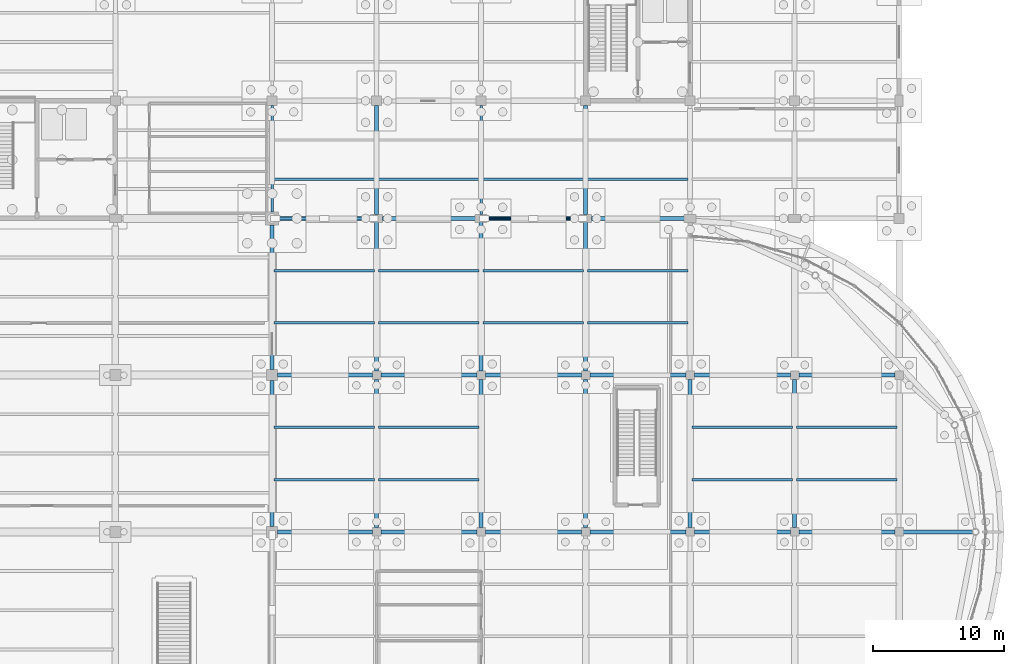
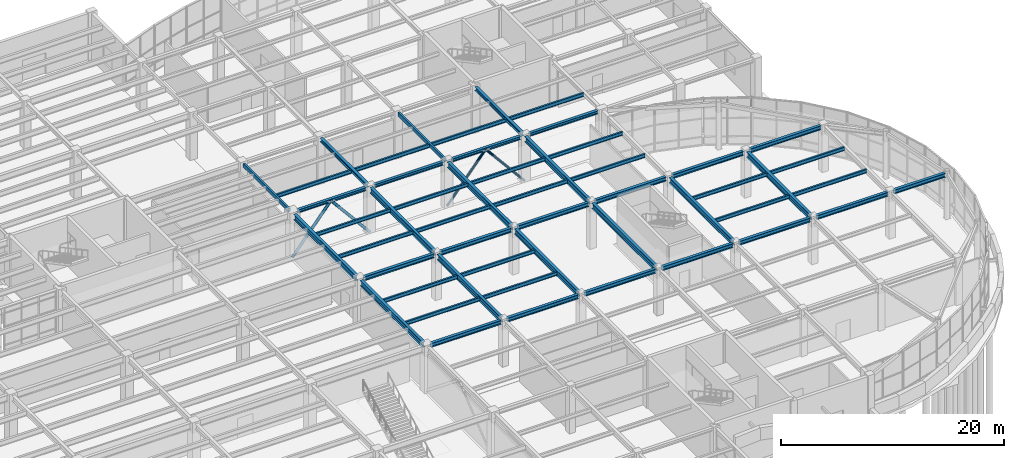
# One storey, part 46 of 85: 51 beams, 4 members.
"""IFC4 building model written with IfcOpenShell, lengths in metres."""

import ifcopenshell
import ifcopenshell.guid

model = None  # the IFC model being written
_history = None  # IfcOwnerHistory: only IFC2X3 demands one
_inside = {}  # id of a spatial element -> (the spatial element, [elements in it])
_under = {}  # id of a project, library or spatial element -> (it, [spatial elements below it])
_declared = {}  # id of a project -> (the project, [libraries it declares])
_typed = {}  # id of a type object -> (the type object, [elements of that type])
_made_of = {}  # id of a material, layer set ... -> (it, [elements and type objects made of it])


def new_model(schema):
    """Start an empty IFC model of exactly this schema.

    Asked for "IFC4X3", IfcOpenShell would pick the latest addendum, in which some entities
    have other attributes; the version numbers below select the first issue.
    IFC2X3 requires an IfcOwnerHistory on every rooted entity: one is made here for all.
    """
    global model, _history
    if schema == "IFC4X3":
        model = ifcopenshell.file(schema_version=(4, 3, 0, 0))
    else:
        model = ifcopenshell.file(schema=schema)
    _inside.clear()
    _under.clear()
    _declared.clear()
    _typed.clear()
    _made_of.clear()
    _history = None
    if model.schema == "IFC2X3":
        org = make("IfcOrganization", Name="unknown")
        user = make(
            "IfcPersonAndOrganization",
            ThePerson=make("IfcPerson", FamilyName="unknown"),
            TheOrganization=org,
        )
        app = make(
            "IfcApplication",
            ApplicationDeveloper=org,
            Version="unknown",
            ApplicationFullName="unknown",
            ApplicationIdentifier="unknown",
        )
        _history = make(
            "IfcOwnerHistory",
            OwningUser=user,
            OwningApplication=app,
            ChangeAction="ADDED",
            CreationDate=0,
        )
    return model


def make(cls, **values):
    """One entity of the class cls with the attributes given. An attribute that is None is left unset."""
    return model.create_entity(
        cls, **{name: value for name, value in values.items() if value is not None}
    )


def rooted(cls, **values):
    """An entity with a GlobalId (a new one), such as an element, a storey or a relation."""
    return make(cls, GlobalId=ifcopenshell.guid.new(), OwnerHistory=_history, **values)


def si_unit(unit_type, name, prefix=None):
    """IfcSIUnit, for example si_unit("LENGTHUNIT", "METRE", prefix="MILLI")."""
    return make("IfcSIUnit", UnitType=unit_type, Prefix=prefix, Name=name)


def assignment(units):
    """IfcUnitAssignment: the units of a project."""
    return None if units is None else make("IfcUnitAssignment", Units=units)


def point(xyz):
    """IfcCartesianPoint."""
    return None if xyz is None else make("IfcCartesianPoint", Coordinates=xyz)


def direction(xyz):
    """IfcDirection."""
    return None if xyz is None else make("IfcDirection", DirectionRatios=xyz)


def frame(location, z_axis=None, x_axis=None):
    """IfcAxis2Placement3D, a coordinate frame: its origin and axes. An axis left out is left unset."""
    return make(
        "IfcAxis2Placement3D",
        Location=point(location),
        Axis=direction(z_axis),
        RefDirection=direction(x_axis),
    )


def frame_2d(location, x_axis=None):
    """IfcAxis2Placement2D, a coordinate frame in the plane: its origin and x axis."""
    return make(
        "IfcAxis2Placement2D", Location=point(location), RefDirection=direction(x_axis)
    )


def origin():
    """The frame at (0, 0, 0) with its axes left unset."""
    return frame((0.0, 0.0, 0.0))


def origin_2d():
    """The frame at (0, 0) in the plane with its x axis left unset."""
    return frame_2d((0.0, 0.0))


def place(relative_to, where):
    """IfcLocalPlacement: puts the frame where relative to a parent placement (None: the world)."""
    return make(
        "IfcLocalPlacement", PlacementRelTo=relative_to, RelativePlacement=where
    )


def context(
    kind, dimensions, precision=None, world=None, true_north=None, identifier=None
):
    """IfcGeometricRepresentationContext, for example the 3D "Model" context."""
    return make(
        "IfcGeometricRepresentationContext",
        ContextIdentifier=identifier,
        ContextType=kind,
        CoordinateSpaceDimension=dimensions,
        Precision=precision,
        WorldCoordinateSystem=world,
        TrueNorth=true_north,
    )


def subcontext(parent, identifier, kind, view, scale=None):
    """IfcGeometricRepresentationSubContext, for example "Body" below "Model"."""
    return make(
        "IfcGeometricRepresentationSubContext",
        ContextIdentifier=identifier,
        ContextType=kind,
        ParentContext=parent,
        TargetScale=scale,
        TargetView=view,
    )


def project(units=None, contexts=None):
    """IfcProject with its units and contexts."""
    return rooted(
        "IfcProject",
        Name="project",
        RepresentationContexts=contexts,
        UnitsInContext=assignment(units),
    )


def spatial(cls, under=None, at=None, **own):
    """A site, building, storey or space (cls), placed at a placement, below another one or the project."""
    s = rooted(cls, ObjectPlacement=at, **own)
    if under is not None:
        _under.setdefault(under.id(), (under, []))[1].append(s)
    return s


def profile(cls, at=None, kind="AREA", **sizes):
    """A parametric profile (cls). Its sizes go by their IFC names, for example OverallWidth=200.0."""
    return make(cls, ProfileType=kind, Position=at, **sizes)


def hollow_rectangle(**sizes):
    """IfcRectangleHollowProfileDef."""
    return profile("IfcRectangleHollowProfileDef", **sizes)


def hollow_circle(**sizes):
    """IfcCircleHollowProfileDef."""
    return profile("IfcCircleHollowProfileDef", **sizes)


def i_section(**sizes):
    """IfcIShapeProfileDef."""
    return profile("IfcIShapeProfileDef", **sizes)


def extrude(swept, where, along, depth):
    """IfcExtrudedAreaSolid: the profile swept, set in the frame where, extruded along a direction by depth."""
    return make(
        "IfcExtrudedAreaSolid",
        SweptArea=swept,
        Position=where,
        ExtrudedDirection=direction(along),
        Depth=depth,
    )


def shape(context_of_items, identifier, shape_type, items):
    """IfcShapeRepresentation: the items that make up one representation, for example the "Body"."""
    return make(
        "IfcShapeRepresentation",
        ContextOfItems=context_of_items,
        RepresentationIdentifier=identifier,
        RepresentationType=shape_type,
        Items=items,
    )


def material(Name=None, Category=None):
    """IfcMaterial."""
    return make("IfcMaterial", Name=Name, Category=Category)


def material_profile(
    of_material, cross_section, Name=None, Category=None, Priority=None
):
    """IfcMaterialProfile: a cross section and its material."""
    return make(
        "IfcMaterialProfile",
        Name=Name,
        Material=of_material,
        Profile=cross_section,
        Priority=Priority,
        Category=Category,
    )


def profile_set(profiles, Name=None, composite=None):
    """IfcMaterialProfileSet."""
    return make(
        "IfcMaterialProfileSet",
        Name=Name,
        MaterialProfiles=profiles,
        CompositeProfile=composite,
    )


def made_of(thing, what):
    """Note that an element or type object is made of a material, layer set ...; save() writes the relation."""
    if what is not None:
        _made_of.setdefault(what.id(), (what, []))[1].append(thing)
    return thing


def type_object(cls, material=None, **own):
    """A type object (cls), such as IfcWallType, which elements share."""
    return made_of(rooted(cls, **own), material)


def element(
    cls,
    number,
    at=None,
    inside=None,
    cuts=None,
    type_object=None,
    material=None,
    context=None,
    identifier="Body",
    shape_type=None,
    held_by="IfcProductDefinitionShape",
    body=None,
    shapes=None,
    **own,
):
    """One element of the class cls, such as IfcWall. Its Tag is "e" and its number.

    at: its placement. inside: the storey or other place that contains it. cuts: it is an
    opening in that element (IfcRelVoidsElement). A single representation is given by context,
    identifier, shape_type and body (its items); several are given by shapes. held_by: the class
    of the entity that holds the representations. save() writes the other relations.
    """
    e = rooted(cls, Tag="e%d" % number, ObjectPlacement=at, **own)
    if body is not None:
        shapes = [shape(context, identifier, shape_type, body)]
    if shapes is not None:
        e.Representation = make(held_by, Representations=shapes)
    if inside is not None:
        _inside.setdefault(inside.id(), (inside, []))[1].append(e)
    if cuts is not None:
        rooted(
            "IfcRelVoidsElement", RelatingBuildingElement=cuts, RelatedOpeningElement=e
        )
    if type_object is not None:
        _typed.setdefault(type_object.id(), (type_object, []))[1].append(e)
    return made_of(e, material)


def aggregate(whole, parts):
    """IfcRelAggregates: a whole, such as a stair, and the parts it consists of."""
    return rooted("IfcRelAggregates", RelatingObject=whole, RelatedObjects=parts)


def save(model, path):
    """Write the relations noted so far, then the file.

    IfcRelAggregates (storeys below a building ...), IfcRelContainedInSpatialStructure (elements
    in a storey), IfcRelDefinesByType, IfcRelAssociatesMaterial and IfcRelDeclares: one each for
    every whole, place, type object, material and project.
    """
    for whole, parts in _under.values():
        aggregate(whole, parts)
    for where, things in _inside.values():
        rooted(
            "IfcRelContainedInSpatialStructure",
            RelatedElements=things,
            RelatingStructure=where,
        )
    for kind, things in _typed.values():
        rooted("IfcRelDefinesByType", RelatedObjects=things, RelatingType=kind)
    for what, things in _made_of.values():
        rooted("IfcRelAssociatesMaterial", RelatedObjects=things, RelatingMaterial=what)
    for by, libraries in _declared.values():
        rooted("IfcRelDeclares", RelatingContext=by, RelatedDefinitions=libraries)
    model.write(path)


model = new_model("IFC4")

# Units and contexts
model_context = context("Model", 3, precision=1e-05, world=origin(), true_north=direction((0.0, 1.0)))
body_context = subcontext(model_context, "Body", "Model", "MODEL_VIEW")
ifc_project = project(units=[si_unit("LENGTHUNIT", "METRE"), si_unit("AREAUNIT", "SQUARE_METRE"), si_unit("VOLUMEUNIT", "CUBIC_METRE"), si_unit("PLANEANGLEUNIT", "RADIAN"), si_unit("MASSUNIT", "GRAM", prefix="KILO")], contexts=[model_context])

# Site, building, storey
site_placement = place(None, origin())
site = spatial("IfcSite", under=ifc_project, at=site_placement, CompositionType="ELEMENT")
building_placement = place(site_placement, origin())
building = spatial("IfcBuilding", under=site, at=building_placement, Name="Keelwater Ferry Terminal", CompositionType="ELEMENT")
storey_placement = place(building_placement, origin())
storey = spatial("IfcBuildingStorey", under=building, at=storey_placement, Name="L00", CompositionType="ELEMENT", Elevation=0.0)

# Members
ifc_material_1 = material(Name="Steel S355", Category="steel")
ifc_material_profile_1 = material_profile(ifc_material_1, hollow_circle(Radius=0.136474609375, WallThickness=0.012451171875, at=origin_2d()), Name="CHS 273x12.5")
ifc_profile_set_1 = profile_set([ifc_material_profile_1], Name="Steel S355")
member_type_1 = type_object("IfcMemberType", Name="BR2 CHS 273x12.5", PredefinedType="BRACE", material=ifc_profile_set_1)
for number, where, z_axis, x_axis, name in (
    (1, (132.0, 90.0, 0.0), (0.63939331492, 0.0, 0.768879827304), (0.0, 1.0, 0.0), "Structural Member MB-L00-0569"),
    (2, (140.0, 90.0, 0.0), (-0.63939331492, 0.0, 0.768879827304), (0.0, -1.0, 0.0), "Structural Member MB-L00-0570"),
):
    element("IfcMember", number, at=place(storey_placement, frame(where, z_axis=z_axis, x_axis=x_axis)), inside=storey, type_object=member_type_1, Name=name, PredefinedType="BRACE", context=body_context, shape_type="SweptSolid", body=[
        extrude(hollow_circle(Radius=0.136474609375, WallThickness=0.012451171875, at=origin_2d()), origin(), (0.0, 0.0, 1.0), 6.255859375),
    ])
ifc_material_2 = material(Name="Steel S355", Category="steel")
ifc_material_profile_2 = material_profile(ifc_material_2, hollow_circle(Radius=0.122314453125, WallThickness=0.012451171875, at=origin_2d()), Name="CHS 244.5x12.5")
ifc_profile_set_2 = profile_set([ifc_material_profile_2], Name="Steel S355")
member_type_2 = type_object("IfcMemberType", Name="BR3 CHS 244.5x12.5", PredefinedType="BRACE", material=ifc_profile_set_2)
for number, where, z_axis, x_axis, name in (
    (3, (148.0, 90.0, 0.0), (0.63939331492, 0.0, 0.768879827304), (0.0, 1.0, 0.0), "Structural Member MB-L00-0563"),
    (4, (156.0, 90.0, 0.0), (-0.63939331492, 0.0, 0.768879827304), (0.0, -1.0, 0.0), "Structural Member MB-L00-0564"),
):
    element("IfcMember", number, at=place(storey_placement, frame(where, z_axis=z_axis, x_axis=x_axis)), inside=storey, type_object=member_type_2, Name=name, PredefinedType="BRACE", context=body_context, shape_type="SweptSolid", body=[
        extrude(hollow_circle(Radius=0.122314453125, WallThickness=0.012451171875, at=origin_2d()), origin(), (0.0, 0.0, 1.0), 6.255859375),
    ])

# Beams
ifc_material_3 = material(Name="Steel S355", Category="steel")
ifc_material_profile_3 = material_profile(ifc_material_3, i_section(OverallWidth=0.300048828125, OverallDepth=0.60009765625, WebThickness=0.015380859375, FlangeThickness=0.030029296875, at=origin_2d()), Name="HEB 600")
ifc_profile_set_3 = profile_set([ifc_material_profile_3], Name="Steel S355")
beam_type_1 = type_object("IfcBeamType", Name="G3 HEB 600", PredefinedType="BEAM", material=ifc_profile_set_3)
beam_1_placement = place(storey_placement, frame((140.0, 66.318115234375, 4.760009765625), z_axis=(0.0, 1.0, 0.0), x_axis=(-1.0, 0.0, 0.0)))
element("IfcBeam", 5, at=beam_1_placement, inside=storey, type_object=beam_type_1, Name="Beam BM-L00-0262", PredefinedType="BEAM", context=body_context, shape_type="SweptSolid", body=[
    extrude(i_section(OverallWidth=0.300048828125, OverallDepth=0.60009765625, WebThickness=0.015380859375, FlangeThickness=0.030029296875, at=origin_2d()), origin(), (0.0, 0.0, 1.0), 11.36376953125),
])
beam_2_placement = place(storey_placement, frame((140.0, 78.318115234375, 4.760009765625), z_axis=(0.0, 1.0, 0.0), x_axis=(-1.0, 0.0, 0.0)))
element("IfcBeam", 6, at=beam_2_placement, inside=storey, type_object=beam_type_1, Name="Beam BM-L00-0263", PredefinedType="BEAM", context=body_context, shape_type="SweptSolid", body=[
    extrude(i_section(OverallWidth=0.300048828125, OverallDepth=0.60009765625, WebThickness=0.015380859375, FlangeThickness=0.030029296875, at=origin_2d()), origin(), (0.0, 0.0, 1.0), 11.387939453125),
])
beam_3_placement = place(storey_placement, frame((156.0, 66.318115234375, 4.760009765625), z_axis=(0.0, 1.0, 0.0), x_axis=(-1.0, 0.0, 0.0)))
element("IfcBeam", 7, at=beam_3_placement, inside=storey, type_object=beam_type_1, Name="Beam BM-L00-0280", PredefinedType="BEAM", context=body_context, shape_type="SweptSolid", body=[
    extrude(i_section(OverallWidth=0.300048828125, OverallDepth=0.60009765625, WebThickness=0.015380859375, FlangeThickness=0.030029296875, at=origin_2d()), origin(), (0.0, 0.0, 1.0), 11.36376953125),
])
beam_4_placement = place(storey_placement, frame((156.0, 78.318115234375, 4.760009765625), z_axis=(0.0, 1.0, 0.0), x_axis=(-1.0, 0.0, 0.0)))
element("IfcBeam", 8, at=beam_4_placement, inside=storey, type_object=beam_type_1, Name="Beam BM-L00-0281", PredefinedType="BEAM", context=body_context, shape_type="SweptSolid", body=[
    extrude(i_section(OverallWidth=0.300048828125, OverallDepth=0.60009765625, WebThickness=0.015380859375, FlangeThickness=0.030029296875, at=origin_2d()), origin(), (0.0, 0.0, 1.0), 11.387939453125),
])
beam_5_placement = place(storey_placement, frame((164.0, 66.318115234375, 4.760009765625), z_axis=(0.0, 1.0, 0.0), x_axis=(-1.0, 0.0, 0.0)))
element("IfcBeam", 9, at=beam_5_placement, inside=storey, type_object=beam_type_1, Name="Beam BM-L00-0287", PredefinedType="BEAM", context=body_context, shape_type="SweptSolid", body=[
    extrude(i_section(OverallWidth=0.300048828125, OverallDepth=0.60009765625, WebThickness=0.015380859375, FlangeThickness=0.030029296875, at=origin_2d()), origin(), (0.0, 0.0, 1.0), 11.36376953125),
])
ifc_material_4 = material(Name="Steel S355", Category="steel")
ifc_material_profile_4 = material_profile(ifc_material_4, i_section(OverallWidth=0.300048828125, OverallDepth=0.60009765625, WebThickness=0.015380859375, FlangeThickness=0.030029296875, at=origin_2d()), Name="HEB 600")
ifc_profile_set_4 = profile_set([ifc_material_profile_4], Name="Steel S355")
beam_type_2 = type_object("IfcBeamType", Name="G3E HEB 600", PredefinedType="BEAM", material=ifc_profile_set_4)
beam_6_placement = place(storey_placement, frame((132.0, 66.416015625, 4.760009765625), z_axis=(0.0, 1.0, 0.0), x_axis=(-1.0, 0.0, 0.0)))
element("IfcBeam", 10, at=beam_6_placement, inside=storey, type_object=beam_type_2, Name="Beam BM-L00-0250", PredefinedType="BEAM", context=body_context, shape_type="SweptSolid", body=[
    extrude(i_section(OverallWidth=0.300048828125, OverallDepth=0.60009765625, WebThickness=0.015380859375, FlangeThickness=0.030029296875, at=origin_2d()), origin(), (0.0, 0.0, 1.0), 11.16796875),
])
beam_7_placement = place(storey_placement, frame((132.0, 78.416015625, 4.760009765625), z_axis=(0.0, 1.0, 0.0), x_axis=(-1.0, 0.0, 0.0)))
element("IfcBeam", 11, at=beam_7_placement, inside=storey, type_object=beam_type_2, Name="Beam BM-L00-0251", PredefinedType="BEAM", context=body_context, shape_type="SweptSolid", body=[
    extrude(i_section(OverallWidth=0.300048828125, OverallDepth=0.60009765625, WebThickness=0.015380859375, FlangeThickness=0.030029296875, at=origin_2d()), origin(), (0.0, 0.0, 1.0), 11.093994140625),
])
beam_8_placement = place(storey_placement, frame((148.0, 66.318115234375, 4.760009765625), z_axis=(0.0, 1.0, 0.0), x_axis=(-1.0, 0.0, 0.0)))
element("IfcBeam", 12, at=beam_8_placement, inside=storey, type_object=beam_type_2, Name="Beam BM-L00-0273", PredefinedType="BEAM", context=body_context, shape_type="SweptSolid", body=[
    extrude(i_section(OverallWidth=0.300048828125, OverallDepth=0.60009765625, WebThickness=0.015380859375, FlangeThickness=0.030029296875, at=origin_2d()), origin(), (0.0, 0.0, 1.0), 11.36376953125),
])
beam_9_placement = place(storey_placement, frame((148.0, 78.318115234375, 4.760009765625), z_axis=(0.0, 1.0, 0.0), x_axis=(-1.0, 0.0, 0.0)))
element("IfcBeam", 13, at=beam_9_placement, inside=storey, type_object=beam_type_2, Name="Beam BM-L00-0274", PredefinedType="BEAM", context=body_context, shape_type="SweptSolid", body=[
    extrude(i_section(OverallWidth=0.300048828125, OverallDepth=0.60009765625, WebThickness=0.015380859375, FlangeThickness=0.030029296875, at=origin_2d()), origin(), (0.0, 0.0, 1.0), 11.387939453125),
])
beam_10_placement = place(storey_placement, frame((172.0, 66.318115234375, 4.760009765625), z_axis=(0.0, 1.0, 0.0), x_axis=(-1.0, 0.0, 0.0)))
element("IfcBeam", 14, at=beam_10_placement, inside=storey, type_object=beam_type_2, Name="Beam BM-L00-0293", PredefinedType="BEAM", context=body_context, shape_type="SweptSolid", body=[
    extrude(i_section(OverallWidth=0.300048828125, OverallDepth=0.60009765625, WebThickness=0.015380859375, FlangeThickness=0.030029296875, at=origin_2d()), origin(), (0.0, 0.0, 1.0), 11.36376953125),
])
ifc_material_5 = material(Name="Steel S355", Category="steel")
ifc_material_profile_5 = material_profile(ifc_material_5, i_section(OverallWidth=0.300048828125, OverallDepth=0.449951171875, WebThickness=0.013916015625, FlangeThickness=0.02587890625, at=origin_2d()), Name="HEB 450")
ifc_profile_set_5 = profile_set([ifc_material_profile_5], Name="Steel S355")
beam_type_3 = type_object("IfcBeamType", Name="G6 HEB 450", PredefinedType="BEAM", material=ifc_profile_set_5)
beam_11_placement = place(storey_placement, frame((132.416015625, 66.0, 4.8349609375), z_axis=(1.0, 0.0, 0.0), x_axis=(0.0, 1.0, 0.0)))
element("IfcBeam", 15, at=beam_11_placement, inside=storey, type_object=beam_type_3, Name="Beam BM-L00-0061", PredefinedType="BEAM", context=body_context, shape_type="SweptSolid", body=[
    extrude(i_section(OverallWidth=0.300048828125, OverallDepth=0.449951171875, WebThickness=0.013916015625, FlangeThickness=0.02587890625, at=origin_2d()), origin(), (0.0, 0.0, 1.0), 7.265869140625),
])
for number, where, z_axis, x_axis, name in (
    (16, (140.318115234375, 66.0, 4.8349609375), (1.0, 0.0, 0.0), (0.0, 1.0, 0.0), "Beam BM-L00-0062"),
    (17, (148.318115234375, 66.0, 4.8349609375), (1.0, 0.0, 0.0), (0.0, 1.0, 0.0), "Beam BM-L00-0063"),
    (18, (156.318115234375, 66.0, 4.8349609375), (1.0, 0.0, 0.0), (0.0, 1.0, 0.0), "Beam BM-L00-0064"),
    (19, (164.318115234375, 66.0, 4.8349609375), (1.0, 0.0, 0.0), (0.0, 1.0, 0.0), "Beam BM-L00-0065"),
    (20, (172.318115234375, 66.0, 4.8349609375), (1.0, 0.0, 0.0), (0.0, 1.0, 0.0), "Beam BM-L00-0066"),
):
    element("IfcBeam", number, at=place(storey_placement, frame(where, z_axis=z_axis, x_axis=x_axis)), inside=storey, type_object=beam_type_3, Name=name, PredefinedType="BEAM", context=body_context, shape_type="SweptSolid", body=[
        extrude(i_section(OverallWidth=0.300048828125, OverallDepth=0.449951171875, WebThickness=0.013916015625, FlangeThickness=0.02587890625, at=origin_2d()), origin(), (0.0, 0.0, 1.0), 7.36376953125),
    ])
beam_12_placement = place(storey_placement, frame((132.416015625, 78.0, 4.8349609375), z_axis=(1.0, 0.0, 0.0), x_axis=(0.0, 1.0, 0.0)))
element("IfcBeam", 21, at=beam_12_placement, inside=storey, type_object=beam_type_3, Name="Beam BM-L00-0079", PredefinedType="BEAM", context=body_context, shape_type="SweptSolid", body=[
    extrude(i_section(OverallWidth=0.300048828125, OverallDepth=0.449951171875, WebThickness=0.013916015625, FlangeThickness=0.02587890625, at=origin_2d()), origin(), (0.0, 0.0, 1.0), 7.265869140625),
])
for number, where, z_axis, x_axis, name in (
    (22, (140.318115234375, 78.0, 4.8349609375), (1.0, 0.0, 0.0), (0.0, 1.0, 0.0), "Beam BM-L00-0080"),
    (23, (148.318115234375, 78.0, 4.8349609375), (1.0, 0.0, 0.0), (0.0, 1.0, 0.0), "Beam BM-L00-0081"),
    (24, (156.318115234375, 78.0, 4.8349609375), (1.0, 0.0, 0.0), (0.0, 1.0, 0.0), "Beam BM-L00-0082"),
    (25, (164.318115234375, 78.0, 4.8349609375), (1.0, 0.0, 0.0), (0.0, 1.0, 0.0), "Beam BM-L00-0083"),
    (26, (172.318115234375, 78.0, 4.8349609375), (1.0, 0.0, 0.0), (0.0, 1.0, 0.0), "Beam BM-L00-0084"),
):
    element("IfcBeam", number, at=place(storey_placement, frame(where, z_axis=z_axis, x_axis=x_axis)), inside=storey, type_object=beam_type_3, Name=name, PredefinedType="BEAM", context=body_context, shape_type="SweptSolid", body=[
        extrude(i_section(OverallWidth=0.300048828125, OverallDepth=0.449951171875, WebThickness=0.013916015625, FlangeThickness=0.02587890625, at=origin_2d()), origin(), (0.0, 0.0, 1.0), 7.36376953125),
    ])
beam_13_placement = place(storey_placement, frame((185.659912109375, 66.0, 4.8349609375), z_axis=(-1.0, 0.0, 0.0), x_axis=(0.0, -1.0, 0.0)))
element("IfcBeam", 27, at=beam_13_placement, inside=storey, type_object=beam_type_3, Name="Beam BM-L00-0602", PredefinedType="BEAM", context=body_context, shape_type="SweptSolid", body=[
    extrude(i_section(OverallWidth=0.300048828125, OverallDepth=0.449951171875, WebThickness=0.013916015625, FlangeThickness=0.02587890625, at=origin_2d()), origin(), (0.0, 0.0, 1.0), 5.371826171875),
])
ifc_material_6 = material(Name="Steel S355", Category="steel")
ifc_material_profile_6 = material_profile(ifc_material_6, i_section(OverallWidth=0.300048828125, OverallDepth=0.39990234375, WebThickness=0.013427734375, FlangeThickness=0.02392578125, at=origin_2d()), Name="HEB 400")
ifc_profile_set_6 = profile_set([ifc_material_profile_6], Name="Steel S355")
beam_type_4 = type_object("IfcBeamType", Name="G7 HEB 400", PredefinedType="BEAM", material=ifc_profile_set_6)
for number, where, z_axis, x_axis, name in (
    (28, (140.0, 90.2939453125, 4.860107421875), (0.0, 1.0, 0.0), (-1.0, 0.0, 0.0), "Beam BM-L00-0264"),
    (29, (156.0, 90.2939453125, 4.860107421875), (0.0, 1.0, 0.0), (-1.0, 0.0, 0.0), "Beam BM-L00-0282"),
):
    element("IfcBeam", number, at=place(storey_placement, frame(where, z_axis=z_axis, x_axis=x_axis)), inside=storey, type_object=beam_type_4, Name=name, PredefinedType="BEAM", context=body_context, shape_type="SweptSolid", body=[
        extrude(i_section(OverallWidth=0.300048828125, OverallDepth=0.39990234375, WebThickness=0.013427734375, FlangeThickness=0.02392578125, at=origin_2d()), origin(), (0.0, 0.0, 1.0), 8.338134765625),
    ])
ifc_material_7 = material(Name="Steel S355", Category="steel")
ifc_material_profile_7 = material_profile(ifc_material_7, i_section(OverallWidth=0.179931640625, OverallDepth=0.39990234375, WebThickness=0.008544921875, FlangeThickness=0.013427734375, at=origin_2d()), Name="IPE 400")
ifc_profile_set_7 = profile_set([ifc_material_profile_7], Name="Steel S355")
beam_type_5 = type_object("IfcBeamType", Name="J5 IPE 400", PredefinedType="JOIST", material=ifc_profile_set_7)
for number, where, z_axis, x_axis, name in (
    (30, (132.14990234375, 70.0, 4.860107421875), (1.0, 0.0, 0.0), (0.0, 1.0, 0.0), "Beam BM-L00-0513"),
    (31, (132.14990234375, 74.0, 4.860107421875), (1.0, 0.0, 0.0), (0.0, 1.0, 0.0), "Beam BM-L00-0514"),
    (32, (132.14990234375, 82.0, 4.860107421875), (1.0, 0.0, 0.0), (0.0, 1.0, 0.0), "Beam BM-L00-0515"),
    (33, (132.14990234375, 86.0, 4.860107421875), (1.0, 0.0, 0.0), (0.0, 1.0, 0.0), "Beam BM-L00-0516"),
):
    element("IfcBeam", number, at=place(storey_placement, frame(where, z_axis=z_axis, x_axis=x_axis)), inside=storey, type_object=beam_type_5, Name=name, PredefinedType="JOIST", context=body_context, shape_type="SweptSolid", body=[
        extrude(i_section(OverallWidth=0.179931640625, OverallDepth=0.39990234375, WebThickness=0.008544921875, FlangeThickness=0.013427734375, at=origin_2d()), origin(), (0.0, 0.0, 1.0), 7.7001953125),
    ])
beam_14_placement = place(storey_placement, frame((132.10009765625, 93.0, 4.860107421875), z_axis=(1.0, 0.0, 0.0), x_axis=(0.0, 1.0, 0.0)))
element("IfcBeam", 34, at=beam_14_placement, inside=storey, type_object=beam_type_5, Name="Beam BM-L00-0517", PredefinedType="JOIST", context=body_context, shape_type="SweptSolid", body=[
    extrude(i_section(OverallWidth=0.179931640625, OverallDepth=0.39990234375, WebThickness=0.008544921875, FlangeThickness=0.013427734375, at=origin_2d()), origin(), (0.0, 0.0, 1.0), 7.75),
])
for number, where, z_axis, x_axis, name in (
    (35, (140.14990234375, 70.0, 4.860107421875), (1.0, 0.0, 0.0), (0.0, 1.0, 0.0), "Beam BM-L00-0533"),
    (36, (140.14990234375, 74.0, 4.860107421875), (1.0, 0.0, 0.0), (0.0, 1.0, 0.0), "Beam BM-L00-0534"),
    (37, (140.14990234375, 82.0, 4.860107421875), (1.0, 0.0, 0.0), (0.0, 1.0, 0.0), "Beam BM-L00-0535"),
    (38, (140.14990234375, 86.0, 4.860107421875), (1.0, 0.0, 0.0), (0.0, 1.0, 0.0), "Beam BM-L00-0536"),
):
    element("IfcBeam", number, at=place(storey_placement, frame(where, z_axis=z_axis, x_axis=x_axis)), inside=storey, type_object=beam_type_5, Name=name, PredefinedType="JOIST", context=body_context, shape_type="SweptSolid", body=[
        extrude(i_section(OverallWidth=0.179931640625, OverallDepth=0.39990234375, WebThickness=0.008544921875, FlangeThickness=0.013427734375, at=origin_2d()), origin(), (0.0, 0.0, 1.0), 7.7001953125),
    ])
beam_15_placement = place(storey_placement, frame((140.14990234375, 93.0, 4.860107421875), z_axis=(1.0, 0.0, 0.0), x_axis=(0.0, 1.0, 0.0)))
element("IfcBeam", 39, at=beam_15_placement, inside=storey, type_object=beam_type_5, Name="Beam BM-L00-0537", PredefinedType="JOIST", context=body_context, shape_type="SweptSolid", body=[
    extrude(i_section(OverallWidth=0.179931640625, OverallDepth=0.39990234375, WebThickness=0.008544921875, FlangeThickness=0.013427734375, at=origin_2d()), origin(), (0.0, 0.0, 1.0), 7.75),
])
for number, where, z_axis, x_axis, name in (
    (40, (148.14990234375, 82.0, 4.860107421875), (1.0, 0.0, 0.0), (0.0, 1.0, 0.0), "Beam BM-L00-0545"),
    (41, (148.14990234375, 86.0, 4.860107421875), (1.0, 0.0, 0.0), (0.0, 1.0, 0.0), "Beam BM-L00-0546"),
):
    element("IfcBeam", number, at=place(storey_placement, frame(where, z_axis=z_axis, x_axis=x_axis)), inside=storey, type_object=beam_type_5, Name=name, PredefinedType="JOIST", context=body_context, shape_type="SweptSolid", body=[
        extrude(i_section(OverallWidth=0.179931640625, OverallDepth=0.39990234375, WebThickness=0.008544921875, FlangeThickness=0.013427734375, at=origin_2d()), origin(), (0.0, 0.0, 1.0), 7.7001953125),
    ])
beam_16_placement = place(storey_placement, frame((148.10009765625, 93.0, 4.860107421875), z_axis=(1.0, 0.0, 0.0), x_axis=(0.0, 1.0, 0.0)))
element("IfcBeam", 42, at=beam_16_placement, inside=storey, type_object=beam_type_5, Name="Beam BM-L00-0547", PredefinedType="JOIST", context=body_context, shape_type="SweptSolid", body=[
    extrude(i_section(OverallWidth=0.179931640625, OverallDepth=0.39990234375, WebThickness=0.008544921875, FlangeThickness=0.013427734375, at=origin_2d()), origin(), (0.0, 0.0, 1.0), 7.75),
])
for number, where, z_axis, x_axis, name in (
    (43, (156.14990234375, 82.0, 4.860107421875), (1.0, 0.0, 0.0), (0.0, 1.0, 0.0), "Beam BM-L00-0557"),
    (44, (156.14990234375, 86.0, 4.860107421875), (1.0, 0.0, 0.0), (0.0, 1.0, 0.0), "Beam BM-L00-0558"),
    (45, (156.14990234375, 93.0, 4.860107421875), (1.0, 0.0, 0.0), (0.0, 1.0, 0.0), "Beam BM-L00-0559"),
    (46, (164.14990234375, 70.0, 4.860107421875), (1.0, 0.0, 0.0), (0.0, 1.0, 0.0), "Beam BM-L00-0565"),
    (47, (164.14990234375, 74.0, 4.860107421875), (1.0, 0.0, 0.0), (0.0, 1.0, 0.0), "Beam BM-L00-0566"),
    (48, (172.14990234375, 70.0, 4.860107421875), (1.0, 0.0, 0.0), (0.0, 1.0, 0.0), "Beam BM-L00-0575"),
    (49, (172.14990234375, 74.0, 4.860107421875), (1.0, 0.0, 0.0), (0.0, 1.0, 0.0), "Beam BM-L00-0576"),
):
    element("IfcBeam", number, at=place(storey_placement, frame(where, z_axis=z_axis, x_axis=x_axis)), inside=storey, type_object=beam_type_5, Name=name, PredefinedType="JOIST", context=body_context, shape_type="SweptSolid", body=[
        extrude(i_section(OverallWidth=0.179931640625, OverallDepth=0.39990234375, WebThickness=0.008544921875, FlangeThickness=0.013427734375, at=origin_2d()), origin(), (0.0, 0.0, 1.0), 7.7001953125),
    ])
ifc_material_8 = material(Name="Steel S355", Category="steel")
ifc_material_profile_8 = material_profile(ifc_material_8, i_section(OverallWidth=0.300048828125, OverallDepth=0.35009765625, WebThickness=0.010009765625, FlangeThickness=0.017578125, at=origin_2d()), Name="HEA 360")
ifc_profile_set_8 = profile_set([ifc_material_profile_8], Name="Steel S355")
beam_type_6 = type_object("IfcBeamType", Name="SP1E HEA 360", PredefinedType="SPANDREL", material=ifc_profile_set_8)
beam_17_placement = place(storey_placement, frame((132.489990234375, 90.0, 4.885009765625), z_axis=(1.0, 0.0, 0.0), x_axis=(0.0, 1.0, 0.0)))
element("IfcBeam", 50, at=beam_17_placement, inside=storey, type_object=beam_type_6, Name="Beam BM-L00-0095", PredefinedType="SPANDREL", context=body_context, shape_type="SweptSolid", body=[
    extrude(i_section(OverallWidth=0.300048828125, OverallDepth=0.35009765625, WebThickness=0.010009765625, FlangeThickness=0.017578125, at=origin_2d()), origin(), (0.0, 0.0, 1.0), 7.069091796875),
])
for number, where, z_axis, x_axis, name in (
    (51, (140.44091796875, 90.0, 4.885009765625), (1.0, 0.0, 0.0), (0.0, 1.0, 0.0), "Beam BM-L00-0096"),
    (52, (148.44091796875, 90.0, 4.885009765625), (1.0, 0.0, 0.0), (0.0, 1.0, 0.0), "Beam BM-L00-0097"),
    (53, (156.44091796875, 90.0, 4.885009765625), (1.0, 0.0, 0.0), (0.0, 1.0, 0.0), "Beam BM-L00-0098"),
):
    element("IfcBeam", number, at=place(storey_placement, frame(where, z_axis=z_axis, x_axis=x_axis)), inside=storey, type_object=beam_type_6, Name=name, PredefinedType="SPANDREL", context=body_context, shape_type="SweptSolid", body=[
        extrude(i_section(OverallWidth=0.300048828125, OverallDepth=0.35009765625, WebThickness=0.010009765625, FlangeThickness=0.017578125, at=origin_2d()), origin(), (0.0, 0.0, 1.0), 7.1181640625),
    ])
ifc_material_9 = material(Name="Steel S355", Category="steel")
ifc_material_profile_9 = material_profile(ifc_material_9, hollow_rectangle(XDim=0.199951171875, YDim=0.39990234375, WallThickness=0.01611328125, at=origin_2d()), Name="RHS 400x200x16")
ifc_profile_set_9 = profile_set([ifc_material_profile_9], Name="Steel S355")
beam_type_7 = type_object("IfcBeamType", Name="SP3E RHS 400x200x16", PredefinedType="SPANDREL", material=ifc_profile_set_9)
beam_18_placement = place(storey_placement, frame((132.0, 90.489990234375, 4.860107421875), z_axis=(0.0, 1.0, 0.0), x_axis=(-1.0, 0.0, 0.0)))
element("IfcBeam", 54, at=beam_18_placement, inside=storey, type_object=beam_type_7, Name="Beam BM-L00-0252", PredefinedType="SPANDREL", context=body_context, shape_type="SweptSolid", body=[
    extrude(hollow_rectangle(XDim=0.199951171875, YDim=0.39990234375, WallThickness=0.01611328125, at=origin_2d()), origin(), (0.0, 0.0, 1.0), 8.14208984375),
])
beam_19_placement = place(storey_placement, frame((148.0, 90.2939453125, 4.860107421875), z_axis=(0.0, 1.0, 0.0), x_axis=(-1.0, 0.0, 0.0)))
element("IfcBeam", 55, at=beam_19_placement, inside=storey, type_object=beam_type_7, Name="Beam BM-L00-0275", PredefinedType="SPANDREL", context=body_context, shape_type="SweptSolid", body=[
    extrude(hollow_rectangle(XDim=0.199951171875, YDim=0.39990234375, WallThickness=0.01611328125, at=origin_2d()), origin(), (0.0, 0.0, 1.0), 8.338134765625),
])

save(model, "model.ifc")
